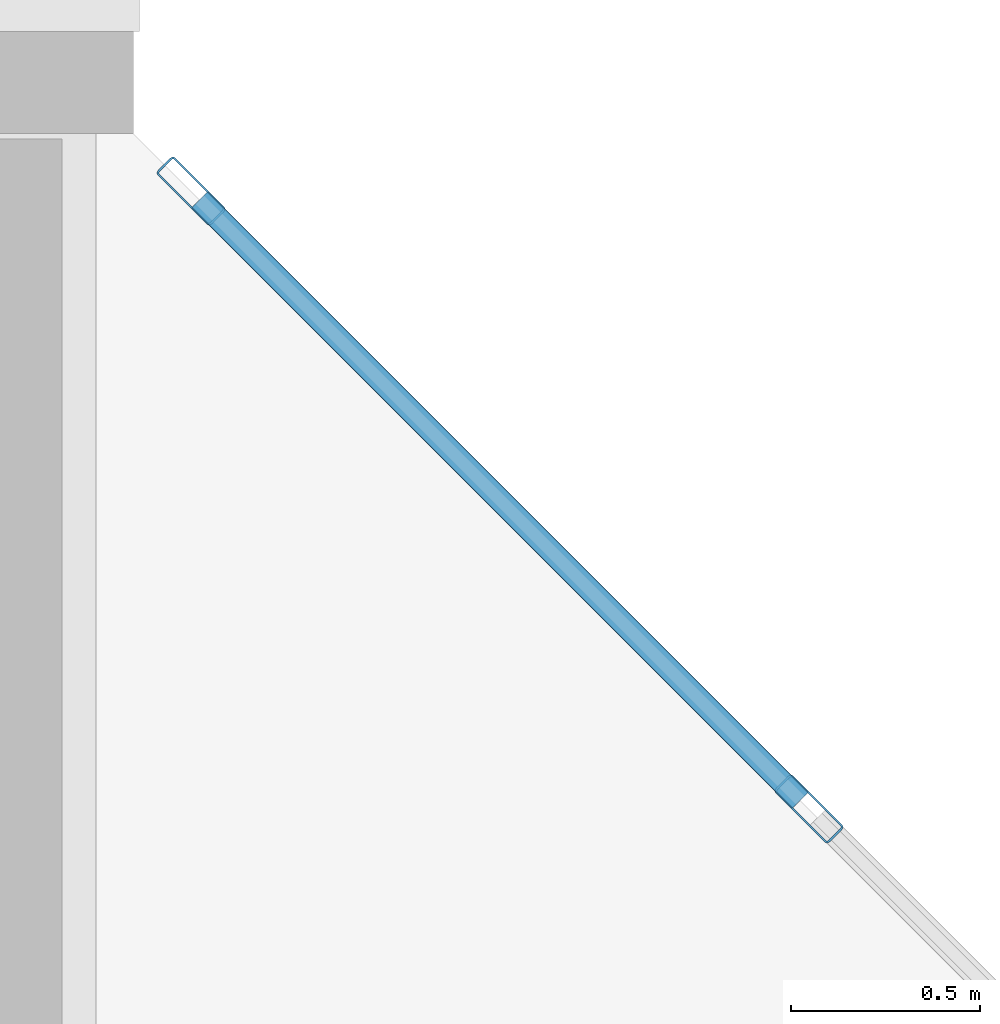
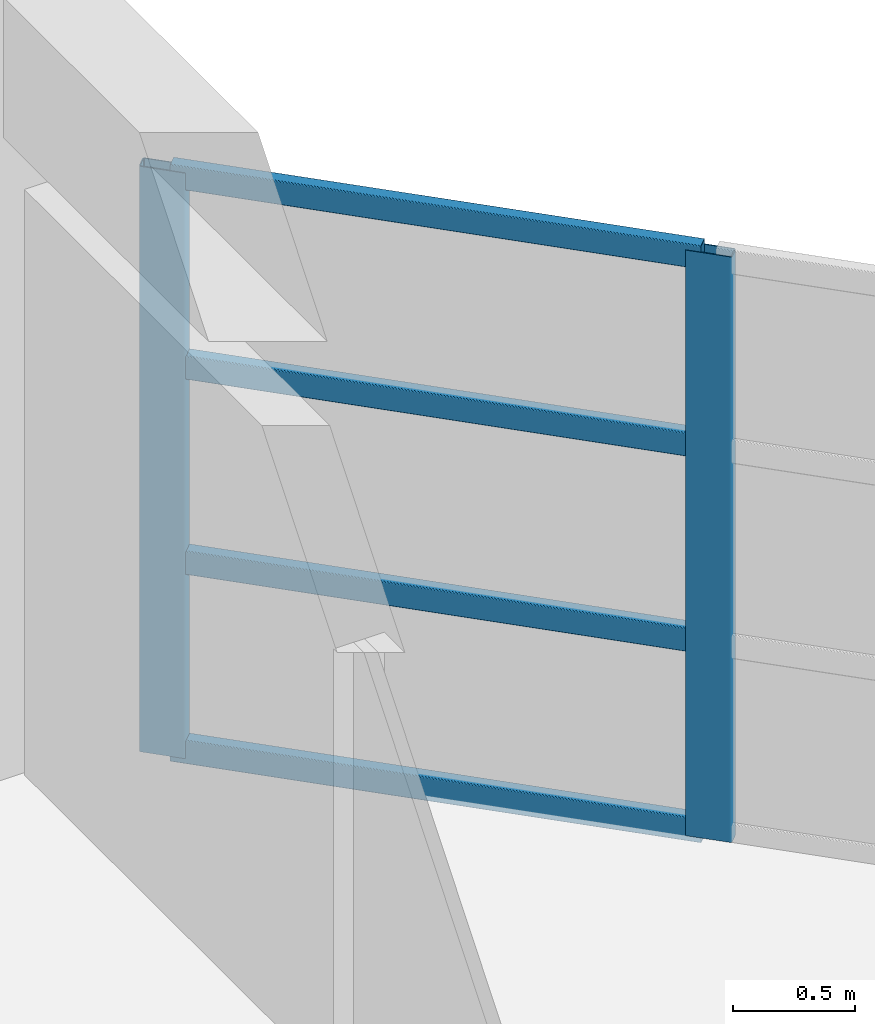
# One storey, part 65 of 124: 6 members, 1 element without a shape of its own.
"""IFC4 building model written with IfcOpenShell, lengths in metres."""

import ifcopenshell
import ifcopenshell.guid

model = None  # the IFC model being written
_history = None  # IfcOwnerHistory: only IFC2X3 demands one
_inside = {}  # id of a spatial element -> (the spatial element, [elements in it])
_under = {}  # id of a project, library or spatial element -> (it, [spatial elements below it])
_declared = {}  # id of a project -> (the project, [libraries it declares])
_typed = {}  # id of a type object -> (the type object, [elements of that type])
_made_of = {}  # id of a material, layer set ... -> (it, [elements and type objects made of it])


def new_model(schema):
    """Start an empty IFC model of exactly this schema.

    Asked for "IFC4X3", IfcOpenShell would pick the latest addendum, in which some entities
    have other attributes; the version numbers below select the first issue.
    IFC2X3 requires an IfcOwnerHistory on every rooted entity: one is made here for all.
    """
    global model, _history
    if schema == "IFC4X3":
        model = ifcopenshell.file(schema_version=(4, 3, 0, 0))
    else:
        model = ifcopenshell.file(schema=schema)
    _inside.clear()
    _under.clear()
    _declared.clear()
    _typed.clear()
    _made_of.clear()
    _history = None
    if model.schema == "IFC2X3":
        org = make("IfcOrganization", Name="unknown")
        user = make(
            "IfcPersonAndOrganization",
            ThePerson=make("IfcPerson", FamilyName="unknown"),
            TheOrganization=org,
        )
        app = make(
            "IfcApplication",
            ApplicationDeveloper=org,
            Version="unknown",
            ApplicationFullName="unknown",
            ApplicationIdentifier="unknown",
        )
        _history = make(
            "IfcOwnerHistory",
            OwningUser=user,
            OwningApplication=app,
            ChangeAction="ADDED",
            CreationDate=0,
        )
    return model


def make(cls, **values):
    """One entity of the class cls with the attributes given. An attribute that is None is left unset."""
    return model.create_entity(
        cls, **{name: value for name, value in values.items() if value is not None}
    )


def rooted(cls, **values):
    """An entity with a GlobalId (a new one), such as an element, a storey or a relation."""
    return make(cls, GlobalId=ifcopenshell.guid.new(), OwnerHistory=_history, **values)


def si_unit(unit_type, name, prefix=None):
    """IfcSIUnit, for example si_unit("LENGTHUNIT", "METRE", prefix="MILLI")."""
    return make("IfcSIUnit", UnitType=unit_type, Prefix=prefix, Name=name)


def assignment(units):
    """IfcUnitAssignment: the units of a project."""
    return None if units is None else make("IfcUnitAssignment", Units=units)


def point(xyz):
    """IfcCartesianPoint."""
    return None if xyz is None else make("IfcCartesianPoint", Coordinates=xyz)


def direction(xyz):
    """IfcDirection."""
    return None if xyz is None else make("IfcDirection", DirectionRatios=xyz)


def frame(location, z_axis=None, x_axis=None):
    """IfcAxis2Placement3D, a coordinate frame: its origin and axes. An axis left out is left unset."""
    return make(
        "IfcAxis2Placement3D",
        Location=point(location),
        Axis=direction(z_axis),
        RefDirection=direction(x_axis),
    )


def frame_2d(location, x_axis=None):
    """IfcAxis2Placement2D, a coordinate frame in the plane: its origin and x axis."""
    return make(
        "IfcAxis2Placement2D", Location=point(location), RefDirection=direction(x_axis)
    )


def origin():
    """The frame at (0, 0, 0) with its axes left unset."""
    return frame((0.0, 0.0, 0.0))


def origin_2d():
    """The frame at (0, 0) in the plane with its x axis left unset."""
    return frame_2d((0.0, 0.0))


def place(relative_to, where):
    """IfcLocalPlacement: puts the frame where relative to a parent placement (None: the world)."""
    return make(
        "IfcLocalPlacement", PlacementRelTo=relative_to, RelativePlacement=where
    )


def context(
    kind, dimensions, precision=None, world=None, true_north=None, identifier=None
):
    """IfcGeometricRepresentationContext, for example the 3D "Model" context."""
    return make(
        "IfcGeometricRepresentationContext",
        ContextIdentifier=identifier,
        ContextType=kind,
        CoordinateSpaceDimension=dimensions,
        Precision=precision,
        WorldCoordinateSystem=world,
        TrueNorth=true_north,
    )


def subcontext(parent, identifier, kind, view, scale=None):
    """IfcGeometricRepresentationSubContext, for example "Body" below "Model"."""
    return make(
        "IfcGeometricRepresentationSubContext",
        ContextIdentifier=identifier,
        ContextType=kind,
        ParentContext=parent,
        TargetScale=scale,
        TargetView=view,
    )


def project(units=None, contexts=None):
    """IfcProject with its units and contexts."""
    return rooted(
        "IfcProject",
        Name="project",
        RepresentationContexts=contexts,
        UnitsInContext=assignment(units),
    )


def spatial(cls, under=None, at=None, **own):
    """A site, building, storey or space (cls), placed at a placement, below another one or the project."""
    s = rooted(cls, ObjectPlacement=at, **own)
    if under is not None:
        _under.setdefault(under.id(), (under, []))[1].append(s)
    return s


def profile(cls, at=None, kind="AREA", **sizes):
    """A parametric profile (cls). Its sizes go by their IFC names, for example OverallWidth=200.0."""
    return make(cls, ProfileType=kind, Position=at, **sizes)


def hollow_rectangle(**sizes):
    """IfcRectangleHollowProfileDef."""
    return profile("IfcRectangleHollowProfileDef", **sizes)


def extrude(swept, where, along, depth):
    """IfcExtrudedAreaSolid: the profile swept, set in the frame where, extruded along a direction by depth."""
    return make(
        "IfcExtrudedAreaSolid",
        SweptArea=swept,
        Position=where,
        ExtrudedDirection=direction(along),
        Depth=depth,
    )


def shape(context_of_items, identifier, shape_type, items):
    """IfcShapeRepresentation: the items that make up one representation, for example the "Body"."""
    return make(
        "IfcShapeRepresentation",
        ContextOfItems=context_of_items,
        RepresentationIdentifier=identifier,
        RepresentationType=shape_type,
        Items=items,
    )


def material(Name=None, Category=None):
    """IfcMaterial."""
    return make("IfcMaterial", Name=Name, Category=Category)


def material_profile(
    of_material, cross_section, Name=None, Category=None, Priority=None
):
    """IfcMaterialProfile: a cross section and its material."""
    return make(
        "IfcMaterialProfile",
        Name=Name,
        Material=of_material,
        Profile=cross_section,
        Priority=Priority,
        Category=Category,
    )


def profile_set(profiles, Name=None, composite=None):
    """IfcMaterialProfileSet."""
    return make(
        "IfcMaterialProfileSet",
        Name=Name,
        MaterialProfiles=profiles,
        CompositeProfile=composite,
    )


def made_of(thing, what):
    """Note that an element or type object is made of a material, layer set ...; save() writes the relation."""
    if what is not None:
        _made_of.setdefault(what.id(), (what, []))[1].append(thing)
    return thing


def type_object(cls, material=None, **own):
    """A type object (cls), such as IfcWallType, which elements share."""
    return made_of(rooted(cls, **own), material)


def element(
    cls,
    number,
    at=None,
    inside=None,
    cuts=None,
    type_object=None,
    material=None,
    context=None,
    identifier="Body",
    shape_type=None,
    held_by="IfcProductDefinitionShape",
    body=None,
    shapes=None,
    **own,
):
    """One element of the class cls, such as IfcWall. Its Tag is "e" and its number.

    at: its placement. inside: the storey or other place that contains it. cuts: it is an
    opening in that element (IfcRelVoidsElement). A single representation is given by context,
    identifier, shape_type and body (its items); several are given by shapes. held_by: the class
    of the entity that holds the representations. save() writes the other relations.
    """
    e = rooted(cls, Tag="e%d" % number, ObjectPlacement=at, **own)
    if body is not None:
        shapes = [shape(context, identifier, shape_type, body)]
    if shapes is not None:
        e.Representation = make(held_by, Representations=shapes)
    if inside is not None:
        _inside.setdefault(inside.id(), (inside, []))[1].append(e)
    if cuts is not None:
        rooted(
            "IfcRelVoidsElement", RelatingBuildingElement=cuts, RelatedOpeningElement=e
        )
    if type_object is not None:
        _typed.setdefault(type_object.id(), (type_object, []))[1].append(e)
    return made_of(e, material)


def aggregate(whole, parts):
    """IfcRelAggregates: a whole, such as a stair, and the parts it consists of."""
    return rooted("IfcRelAggregates", RelatingObject=whole, RelatedObjects=parts)


def save(model, path):
    """Write the relations noted so far, then the file.

    IfcRelAggregates (storeys below a building ...), IfcRelContainedInSpatialStructure (elements
    in a storey), IfcRelDefinesByType, IfcRelAssociatesMaterial and IfcRelDeclares: one each for
    every whole, place, type object, material and project.
    """
    for whole, parts in _under.values():
        aggregate(whole, parts)
    for where, things in _inside.values():
        rooted(
            "IfcRelContainedInSpatialStructure",
            RelatedElements=things,
            RelatingStructure=where,
        )
    for kind, things in _typed.values():
        rooted("IfcRelDefinesByType", RelatedObjects=things, RelatingType=kind)
    for what, things in _made_of.values():
        rooted("IfcRelAssociatesMaterial", RelatedObjects=things, RelatingMaterial=what)
    for by, libraries in _declared.values():
        rooted("IfcRelDeclares", RelatingContext=by, RelatedDefinitions=libraries)
    model.write(path)


model = new_model("IFC4")

# Units and contexts
model_context = context("Model", 3, precision=1e-05, world=origin(), true_north=direction((0.0, 1.0)))
body_context = subcontext(model_context, "Body", "Model", "MODEL_VIEW")
ifc_project = project(units=[si_unit("LENGTHUNIT", "METRE"), si_unit("AREAUNIT", "SQUARE_METRE"), si_unit("VOLUMEUNIT", "CUBIC_METRE"), si_unit("PLANEANGLEUNIT", "RADIAN"), si_unit("MASSUNIT", "GRAM", prefix="KILO")], contexts=[model_context])

# Site, building, storey
site_placement = place(None, origin())
site = spatial("IfcSite", under=ifc_project, at=site_placement, CompositionType="ELEMENT")
building_placement = place(site_placement, origin())
building = spatial("IfcBuilding", under=site, at=building_placement, Name="Qasida Concert Hall", CompositionType="ELEMENT")
storey_placement = place(building_placement, frame((0.0, 0.0, 9.0)))
storey = spatial("IfcBuildingStorey", under=building, at=storey_placement, Name="L02", CompositionType="ELEMENT", Elevation=9.0)

# Curtain wall, members
ifc_material_1 = material(Name="Architectural bronze-anodized aluminium and low-E glass", Category="aluminium")
curtain_wall_type = type_object("IfcCurtainWallType", Name="CW-07", PredefinedType="NOTDEFINED", material=ifc_material_1)
curtain_wall_placement = place(storey_placement, origin())
curtain_wall = element("IfcCurtainWall", 1, at=curtain_wall_placement, inside=storey, type_object=curtain_wall_type, Name="L02 curtain wall CW-07 0148", PredefinedType="NOTDEFINED")
ifc_material_2 = material(Name="Architectural bronze-anodized aluminium EN AW-6063", Category="aluminium")
ifc_material_profile_1 = material_profile(ifc_material_2, hollow_rectangle(XDim=0.06494140625, YDim=0.199951171875, WallThickness=0.0048828125, InnerFilletRadius=0.0048828125, OuterFilletRadius=0.010009765625, at=origin_2d()), Name="CWM 200x65x5")
ifc_profile_set_1 = profile_set([ifc_material_profile_1], Name="Architectural bronze-anodized aluminium EN AW-6063")
member_type_1 = type_object("IfcMemberType", Name="MB-CWM-2", PredefinedType="MULLION", material=ifc_profile_set_1)
member_1_placement = place(storey_placement, frame((159.59423828125, 27.90576171875, 0.0), z_axis=(0.0, 0.0, 1.0), x_axis=(-0.707106781187, -0.707106781187, 0.0)))
member_1 = element("IfcMember", 2, at=member_1_placement, type_object=member_type_1, Name="CW-07 mullion 4", PredefinedType="MULLION", context=body_context, shape_type="SweptSolid", body=[
    extrude(hollow_rectangle(XDim=0.06494140625, YDim=0.199951171875, WallThickness=0.0048828125, InnerFilletRadius=0.0048828125, OuterFilletRadius=0.010009765625, at=origin_2d()), origin(), (0.0, 0.0, 1.0), 2.919921875),
])
member_2_placement = place(storey_placement, frame((157.96142578125, 29.53857421875, 0.0), z_axis=(0.0, 0.0, 1.0), x_axis=(-0.707106781187, -0.707106781187, 0.0)))
member_2 = element("IfcMember", 3, at=member_2_placement, type_object=member_type_1, Name="CW-07 mullion 5", PredefinedType="MULLION", context=body_context, shape_type="SweptSolid", body=[
    extrude(hollow_rectangle(XDim=0.06494140625, YDim=0.199951171875, WallThickness=0.0048828125, InnerFilletRadius=0.0048828125, OuterFilletRadius=0.010009765625, at=origin_2d()), origin(), (0.0, 0.0, 1.0), 2.919921875),
])
ifc_material_profile_2 = material_profile(ifc_material_2, hollow_rectangle(XDim=0.06005859375, YDim=0.1201171875, WallThickness=0.00390625, InnerFilletRadius=0.00390625, OuterFilletRadius=0.008056640625, at=origin_2d()), Name="CWT 120x60x4")
ifc_profile_set_2 = profile_set([ifc_material_profile_2], Name="Architectural bronze-anodized aluminium EN AW-6063")
member_type_2 = type_object("IfcMemberType", Name="MB-CWT-2", PredefinedType="USERDEFINED", material=ifc_profile_set_2)
member_3_placement = place(storey_placement, frame((159.5712890625, 27.9287109375, 0.030029296875), z_axis=(-0.707106781187, 0.707106781187, 0.0), x_axis=(-0.707106781187, -0.707106781187, 0.0)))
member_3 = element("IfcMember", 4, at=member_3_placement, type_object=member_type_2, Name="CW-07 transom 4.1", ObjectType="TRANSOM", PredefinedType="USERDEFINED", context=body_context, shape_type="SweptSolid", body=[
    extrude(hollow_rectangle(XDim=0.06005859375, YDim=0.1201171875, WallThickness=0.00390625, InnerFilletRadius=0.00390625, OuterFilletRadius=0.008056640625, at=origin_2d()), origin(), (0.0, 0.0, 1.0), 2.244140625),
])
member_4_placement = place(storey_placement, frame((159.5712890625, 27.9287109375, 0.973388671875), z_axis=(-0.707106781187, 0.707106781187, 0.0), x_axis=(-0.707106781187, -0.707106781187, 0.0)))
member_4 = element("IfcMember", 5, at=member_4_placement, type_object=member_type_2, Name="CW-07 transom 4.2", ObjectType="TRANSOM", PredefinedType="USERDEFINED", context=body_context, shape_type="SweptSolid", body=[
    extrude(hollow_rectangle(XDim=0.06005859375, YDim=0.1201171875, WallThickness=0.00390625, InnerFilletRadius=0.00390625, OuterFilletRadius=0.008056640625, at=origin_2d()), origin(), (0.0, 0.0, 1.0), 2.244140625),
])
member_5_placement = place(storey_placement, frame((159.5712890625, 27.9287109375, 1.94677734375), z_axis=(-0.707106781187, 0.707106781187, 0.0), x_axis=(-0.707106781187, -0.707106781187, 0.0)))
member_5 = element("IfcMember", 6, at=member_5_placement, type_object=member_type_2, Name="CW-07 transom 4.3", ObjectType="TRANSOM", PredefinedType="USERDEFINED", context=body_context, shape_type="SweptSolid", body=[
    extrude(hollow_rectangle(XDim=0.06005859375, YDim=0.1201171875, WallThickness=0.00390625, InnerFilletRadius=0.00390625, OuterFilletRadius=0.008056640625, at=origin_2d()), origin(), (0.0, 0.0, 1.0), 2.244140625),
])
member_6_placement = place(storey_placement, frame((159.5712890625, 27.9287109375, 2.889892578125), z_axis=(-0.707106781187, 0.707106781187, 0.0), x_axis=(-0.707106781187, -0.707106781187, 0.0)))
member_6 = element("IfcMember", 7, at=member_6_placement, type_object=member_type_2, Name="CW-07 transom 4.4", ObjectType="TRANSOM", PredefinedType="USERDEFINED", context=body_context, shape_type="SweptSolid", body=[
    extrude(hollow_rectangle(XDim=0.06005859375, YDim=0.1201171875, WallThickness=0.00390625, InnerFilletRadius=0.00390625, OuterFilletRadius=0.008056640625, at=origin_2d()), origin(), (0.0, 0.0, 1.0), 2.244140625),
])
aggregate(curtain_wall, [member_1, member_2, member_3, member_4, member_5, member_6])

save(model, "model.ifc")
